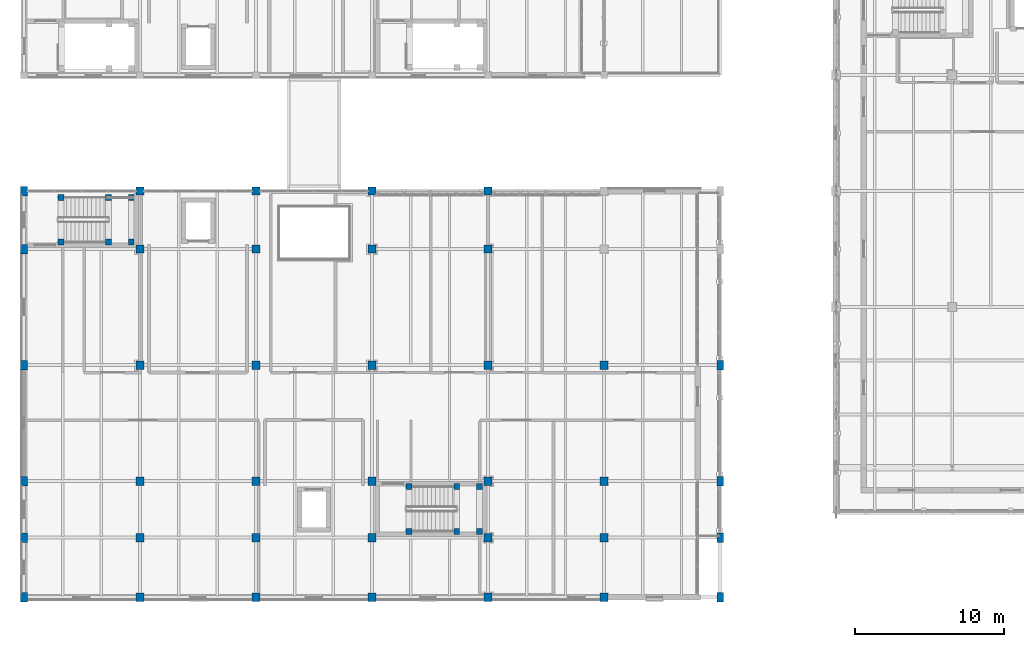
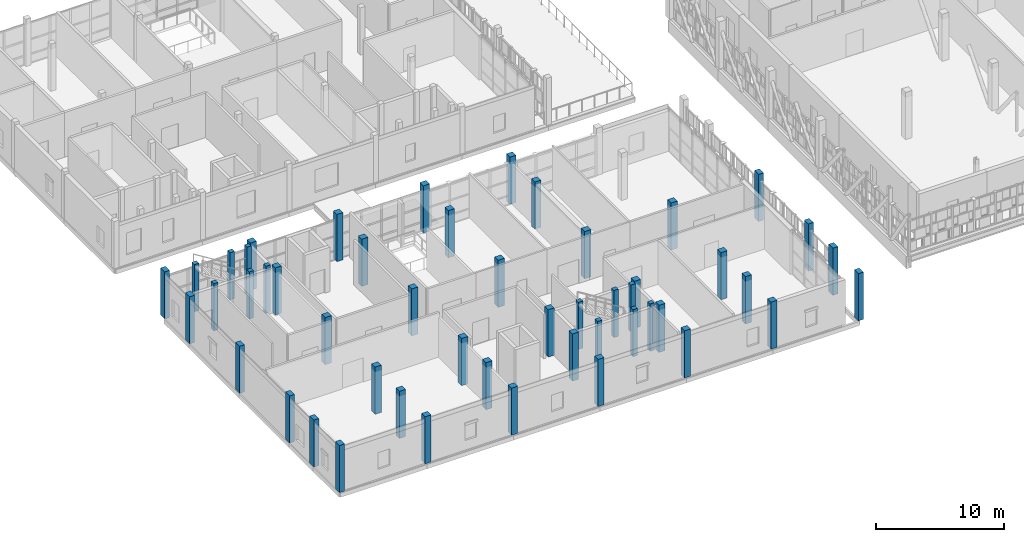
# One storey, part 1 of 119: 50 columns.
"""IFC4 building model written with IfcOpenShell, lengths in metres."""

import ifcopenshell
import ifcopenshell.guid

model = None  # the IFC model being written
_history = None  # IfcOwnerHistory: only IFC2X3 demands one
_inside = {}  # id of a spatial element -> (the spatial element, [elements in it])
_under = {}  # id of a project, library or spatial element -> (it, [spatial elements below it])
_declared = {}  # id of a project -> (the project, [libraries it declares])
_typed = {}  # id of a type object -> (the type object, [elements of that type])
_made_of = {}  # id of a material, layer set ... -> (it, [elements and type objects made of it])


def new_model(schema):
    """Start an empty IFC model of exactly this schema.

    Asked for "IFC4X3", IfcOpenShell would pick the latest addendum, in which some entities
    have other attributes; the version numbers below select the first issue.
    IFC2X3 requires an IfcOwnerHistory on every rooted entity: one is made here for all.
    """
    global model, _history
    if schema == "IFC4X3":
        model = ifcopenshell.file(schema_version=(4, 3, 0, 0))
    else:
        model = ifcopenshell.file(schema=schema)
    _inside.clear()
    _under.clear()
    _declared.clear()
    _typed.clear()
    _made_of.clear()
    _history = None
    if model.schema == "IFC2X3":
        org = make("IfcOrganization", Name="unknown")
        user = make(
            "IfcPersonAndOrganization",
            ThePerson=make("IfcPerson", FamilyName="unknown"),
            TheOrganization=org,
        )
        app = make(
            "IfcApplication",
            ApplicationDeveloper=org,
            Version="unknown",
            ApplicationFullName="unknown",
            ApplicationIdentifier="unknown",
        )
        _history = make(
            "IfcOwnerHistory",
            OwningUser=user,
            OwningApplication=app,
            ChangeAction="ADDED",
            CreationDate=0,
        )
    return model


def make(cls, **values):
    """One entity of the class cls with the attributes given. An attribute that is None is left unset."""
    return model.create_entity(
        cls, **{name: value for name, value in values.items() if value is not None}
    )


def rooted(cls, **values):
    """An entity with a GlobalId (a new one), such as an element, a storey or a relation."""
    return make(cls, GlobalId=ifcopenshell.guid.new(), OwnerHistory=_history, **values)


def si_unit(unit_type, name, prefix=None):
    """IfcSIUnit, for example si_unit("LENGTHUNIT", "METRE", prefix="MILLI")."""
    return make("IfcSIUnit", UnitType=unit_type, Prefix=prefix, Name=name)


def assignment(units):
    """IfcUnitAssignment: the units of a project."""
    return None if units is None else make("IfcUnitAssignment", Units=units)


def point(xyz):
    """IfcCartesianPoint."""
    return None if xyz is None else make("IfcCartesianPoint", Coordinates=xyz)


def direction(xyz):
    """IfcDirection."""
    return None if xyz is None else make("IfcDirection", DirectionRatios=xyz)


def frame(location, z_axis=None, x_axis=None):
    """IfcAxis2Placement3D, a coordinate frame: its origin and axes. An axis left out is left unset."""
    return make(
        "IfcAxis2Placement3D",
        Location=point(location),
        Axis=direction(z_axis),
        RefDirection=direction(x_axis),
    )


def frame_2d(location, x_axis=None):
    """IfcAxis2Placement2D, a coordinate frame in the plane: its origin and x axis."""
    return make(
        "IfcAxis2Placement2D", Location=point(location), RefDirection=direction(x_axis)
    )


def origin():
    """The frame at (0, 0, 0) with its axes left unset."""
    return frame((0.0, 0.0, 0.0))


def origin_2d():
    """The frame at (0, 0) in the plane with its x axis left unset."""
    return frame_2d((0.0, 0.0))


def place(relative_to, where):
    """IfcLocalPlacement: puts the frame where relative to a parent placement (None: the world)."""
    return make(
        "IfcLocalPlacement", PlacementRelTo=relative_to, RelativePlacement=where
    )


def context(
    kind, dimensions, precision=None, world=None, true_north=None, identifier=None
):
    """IfcGeometricRepresentationContext, for example the 3D "Model" context."""
    return make(
        "IfcGeometricRepresentationContext",
        ContextIdentifier=identifier,
        ContextType=kind,
        CoordinateSpaceDimension=dimensions,
        Precision=precision,
        WorldCoordinateSystem=world,
        TrueNorth=true_north,
    )


def subcontext(parent, identifier, kind, view, scale=None):
    """IfcGeometricRepresentationSubContext, for example "Body" below "Model"."""
    return make(
        "IfcGeometricRepresentationSubContext",
        ContextIdentifier=identifier,
        ContextType=kind,
        ParentContext=parent,
        TargetScale=scale,
        TargetView=view,
    )


def project(units=None, contexts=None):
    """IfcProject with its units and contexts."""
    return rooted(
        "IfcProject",
        Name="project",
        RepresentationContexts=contexts,
        UnitsInContext=assignment(units),
    )


def spatial(cls, under=None, at=None, **own):
    """A site, building, storey or space (cls), placed at a placement, below another one or the project."""
    s = rooted(cls, ObjectPlacement=at, **own)
    if under is not None:
        _under.setdefault(under.id(), (under, []))[1].append(s)
    return s


def profile(cls, at=None, kind="AREA", **sizes):
    """A parametric profile (cls). Its sizes go by their IFC names, for example OverallWidth=200.0."""
    return make(cls, ProfileType=kind, Position=at, **sizes)


def rectangle(**sizes):
    """IfcRectangleProfileDef."""
    return profile("IfcRectangleProfileDef", **sizes)


def extrude(swept, where, along, depth):
    """IfcExtrudedAreaSolid: the profile swept, set in the frame where, extruded along a direction by depth."""
    return make(
        "IfcExtrudedAreaSolid",
        SweptArea=swept,
        Position=where,
        ExtrudedDirection=direction(along),
        Depth=depth,
    )


def shape(context_of_items, identifier, shape_type, items):
    """IfcShapeRepresentation: the items that make up one representation, for example the "Body"."""
    return make(
        "IfcShapeRepresentation",
        ContextOfItems=context_of_items,
        RepresentationIdentifier=identifier,
        RepresentationType=shape_type,
        Items=items,
    )


def material(Name=None, Category=None):
    """IfcMaterial."""
    return make("IfcMaterial", Name=Name, Category=Category)


def material_profile(
    of_material, cross_section, Name=None, Category=None, Priority=None
):
    """IfcMaterialProfile: a cross section and its material."""
    return make(
        "IfcMaterialProfile",
        Name=Name,
        Material=of_material,
        Profile=cross_section,
        Priority=Priority,
        Category=Category,
    )


def profile_set(profiles, Name=None, composite=None):
    """IfcMaterialProfileSet."""
    return make(
        "IfcMaterialProfileSet",
        Name=Name,
        MaterialProfiles=profiles,
        CompositeProfile=composite,
    )


def made_of(thing, what):
    """Note that an element or type object is made of a material, layer set ...; save() writes the relation."""
    if what is not None:
        _made_of.setdefault(what.id(), (what, []))[1].append(thing)
    return thing


def type_object(cls, material=None, **own):
    """A type object (cls), such as IfcWallType, which elements share."""
    return made_of(rooted(cls, **own), material)


def element(
    cls,
    number,
    at=None,
    inside=None,
    cuts=None,
    type_object=None,
    material=None,
    context=None,
    identifier="Body",
    shape_type=None,
    held_by="IfcProductDefinitionShape",
    body=None,
    shapes=None,
    **own,
):
    """One element of the class cls, such as IfcWall. Its Tag is "e" and its number.

    at: its placement. inside: the storey or other place that contains it. cuts: it is an
    opening in that element (IfcRelVoidsElement). A single representation is given by context,
    identifier, shape_type and body (its items); several are given by shapes. held_by: the class
    of the entity that holds the representations. save() writes the other relations.
    """
    e = rooted(cls, Tag="e%d" % number, ObjectPlacement=at, **own)
    if body is not None:
        shapes = [shape(context, identifier, shape_type, body)]
    if shapes is not None:
        e.Representation = make(held_by, Representations=shapes)
    if inside is not None:
        _inside.setdefault(inside.id(), (inside, []))[1].append(e)
    if cuts is not None:
        rooted(
            "IfcRelVoidsElement", RelatingBuildingElement=cuts, RelatedOpeningElement=e
        )
    if type_object is not None:
        _typed.setdefault(type_object.id(), (type_object, []))[1].append(e)
    return made_of(e, material)


def aggregate(whole, parts):
    """IfcRelAggregates: a whole, such as a stair, and the parts it consists of."""
    return rooted("IfcRelAggregates", RelatingObject=whole, RelatedObjects=parts)


def save(model, path):
    """Write the relations noted so far, then the file.

    IfcRelAggregates (storeys below a building ...), IfcRelContainedInSpatialStructure (elements
    in a storey), IfcRelDefinesByType, IfcRelAssociatesMaterial and IfcRelDeclares: one each for
    every whole, place, type object, material and project.
    """
    for whole, parts in _under.values():
        aggregate(whole, parts)
    for where, things in _inside.values():
        rooted(
            "IfcRelContainedInSpatialStructure",
            RelatedElements=things,
            RelatingStructure=where,
        )
    for kind, things in _typed.values():
        rooted("IfcRelDefinesByType", RelatedObjects=things, RelatingType=kind)
    for what, things in _made_of.values():
        rooted("IfcRelAssociatesMaterial", RelatedObjects=things, RelatingMaterial=what)
    for by, libraries in _declared.values():
        rooted("IfcRelDeclares", RelatingContext=by, RelatedDefinitions=libraries)
    model.write(path)


model = new_model("IFC4")

# Units and contexts
model_context = context("Model", 3, precision=1e-05, world=origin(), true_north=direction((0.0, 1.0)))
body_context = subcontext(model_context, "Body", "Model", "MODEL_VIEW")
ifc_project = project(units=[si_unit("LENGTHUNIT", "METRE"), si_unit("AREAUNIT", "SQUARE_METRE"), si_unit("VOLUMEUNIT", "CUBIC_METRE"), si_unit("PLANEANGLEUNIT", "RADIAN"), si_unit("MASSUNIT", "GRAM", prefix="KILO")], contexts=[model_context])

# Site, building, storey
site_placement = place(None, origin())
site = spatial("IfcSite", under=ifc_project, at=site_placement, CompositionType="ELEMENT")
building_placement = place(site_placement, origin())
building = spatial("IfcBuilding", under=site, at=building_placement, Name="Celorna Specialist Clinic", CompositionType="ELEMENT")
storey_placement = place(building_placement, frame((0.0, 0.0, 9.60009765625)))
storey = spatial("IfcBuildingStorey", under=building, at=storey_placement, Name="L02", CompositionType="ELEMENT", Elevation=9.60009765625)

# Columns
ifc_material_1 = material(Name="Concrete C35/45", Category="concrete")
ifc_material_profile_1 = material_profile(ifc_material_1, rectangle(XDim=0.550048828125, YDim=0.550048828125, at=origin_2d()), Name="RC 550x550")
ifc_profile_set_1 = profile_set([ifc_material_profile_1], Name="Concrete C35/45")
column_type_1 = type_object("IfcColumnType", Name="CT-05", PredefinedType="COLUMN", material=ifc_profile_set_1)
for number, where, z_axis, x_axis, name in (
    (1, (7.800048828125, 0.0, 0.0), (0.0, 0.0, 1.0), (1.0, 0.0, 0.0), "Column CT-05 L02 X02/YA"),
    (2, (7.800048828125, 4.0, 0.0), (0.0, 0.0, 1.0), (1.0, 0.0, 0.0), "Column CT-05 L02 X02/YA1"),
    (3, (7.800048828125, 7.800048828125, 0.0), (0.0, 0.0, 1.0), (1.0, 0.0, 0.0), "Column CT-05 L02 X02/YC"),
    (4, (7.800048828125, 15.60009765625, 0.0), (0.0, 0.0, 1.0), (1.0, 0.0, 0.0), "Column CT-05 L02 X02/YD"),
    (5, (7.800048828125, 23.39990234375, 0.0), (0.0, 0.0, 1.0), (1.0, 0.0, 0.0), "Column CT-05 L02 X02/YE"),
    (6, (7.800048828125, 27.300048828125, 0.0), (0.0, 0.0, 1.0), (1.0, 0.0, 0.0), "Column CT-05 L02 X02/YF"),
    (7, (15.60009765625, 0.0, 0.0), (0.0, 0.0, 1.0), (1.0, 0.0, 0.0), "Column CT-05 L02 X03/YA"),
    (8, (15.60009765625, 4.0, 0.0), (0.0, 0.0, 1.0), (1.0, 0.0, 0.0), "Column CT-05 L02 X03/YA1"),
    (9, (15.60009765625, 7.800048828125, 0.0), (0.0, 0.0, 1.0), (1.0, 0.0, 0.0), "Column CT-05 L02 X03/YC"),
    (10, (15.60009765625, 15.60009765625, 0.0), (0.0, 0.0, 1.0), (1.0, 0.0, 0.0), "Column CT-05 L02 X03/YD"),
    (11, (15.60009765625, 23.39990234375, 0.0), (0.0, 0.0, 1.0), (1.0, 0.0, 0.0), "Column CT-05 L02 X03/YE"),
    (12, (15.60009765625, 27.300048828125, 0.0), (0.0, 0.0, 1.0), (1.0, 0.0, 0.0), "Column CT-05 L02 X03/YF"),
    (13, (23.39990234375, 0.0, 0.0), (0.0, 0.0, 1.0), (1.0, 0.0, 0.0), "Column CT-05 L02 X04/YA"),
    (14, (23.39990234375, 4.0, 0.0), (0.0, 0.0, 1.0), (1.0, 0.0, 0.0), "Column CT-05 L02 X04/YA1"),
    (15, (23.39990234375, 7.800048828125, 0.0), (0.0, 0.0, 1.0), (1.0, 0.0, 0.0), "Column CT-05 L02 X04/YC"),
    (16, (23.39990234375, 15.60009765625, 0.0), (0.0, 0.0, 1.0), (1.0, 0.0, 0.0), "Column CT-05 L02 X04/YD"),
    (17, (23.39990234375, 23.39990234375, 0.0), (0.0, 0.0, 1.0), (1.0, 0.0, 0.0), "Column CT-05 L02 X04/YE"),
    (18, (23.39990234375, 27.300048828125, 0.0), (0.0, 0.0, 1.0), (1.0, 0.0, 0.0), "Column CT-05 L02 X04/YF"),
    (19, (31.199951171875, 0.0, 0.0), (0.0, 0.0, 1.0), (1.0, 0.0, 0.0), "Column CT-05 L02 X05/YA"),
    (20, (31.199951171875, 4.0, 0.0), (0.0, 0.0, 1.0), (1.0, 0.0, 0.0), "Column CT-05 L02 X05/YA1"),
    (21, (31.199951171875, 7.800048828125, 0.0), (0.0, 0.0, 1.0), (1.0, 0.0, 0.0), "Column CT-05 L02 X05/YC"),
    (22, (31.199951171875, 15.60009765625, 0.0), (0.0, 0.0, 1.0), (1.0, 0.0, 0.0), "Column CT-05 L02 X05/YD"),
    (23, (31.199951171875, 23.39990234375, 0.0), (0.0, 0.0, 1.0), (1.0, 0.0, 0.0), "Column CT-05 L02 X05/YE"),
    (24, (31.199951171875, 27.300048828125, 0.0), (0.0, 0.0, 1.0), (1.0, 0.0, 0.0), "Column CT-05 L02 X05/YF"),
    (25, (39.0, 0.0, 0.0), (0.0, 0.0, 1.0), (1.0, 0.0, 0.0), "Column CT-05 L02 X06/YA"),
    (26, (39.0, 4.0, 0.0), (0.0, 0.0, 1.0), (1.0, 0.0, 0.0), "Column CT-05 L02 X06/YA1"),
    (27, (39.0, 7.800048828125, 0.0), (0.0, 0.0, 1.0), (1.0, 0.0, 0.0), "Column CT-05 L02 X06/YC"),
    (28, (39.0, 15.60009765625, 0.0), (0.0, 0.0, 1.0), (1.0, 0.0, 0.0), "Column CT-05 L02 X06/YD"),
):
    element("IfcColumn", number, at=place(storey_placement, frame(where, z_axis=z_axis, x_axis=x_axis)), inside=storey, type_object=column_type_1, Name=name, PredefinedType="COLUMN", context=body_context, shape_type="SweptSolid", body=[
        extrude(rectangle(XDim=0.550048828125, YDim=0.550048828125, at=origin_2d()), origin(), (0.0, 0.0, 1.0), 4.5),
    ])
ifc_material_profile_2 = material_profile(ifc_material_1, rectangle(XDim=0.39990234375, YDim=0.39990234375, at=origin_2d()), Name="RC 400x400")
ifc_profile_set_2 = profile_set([ifc_material_profile_2], Name="Concrete C35/45")
column_type_2 = type_object("IfcColumnType", Name="CT-08", PredefinedType="COLUMN", material=ifc_profile_set_2)
for number, where, z_axis, x_axis, name in (
    (29, (2.489990234375, 23.8701171875, 0.0), (0.0, 0.0, 1.0), (1.0, 0.0, 0.0), "Stair ST-04 landing column CT-08 L02 X01/YF"),
    (30, (2.489990234375, 26.8701171875, 0.0), (0.0, 0.0, 1.0), (1.0, 0.0, 0.0), "Stair ST-04 landing column CT-08 L02 X01/YF"),
    (31, (5.68994140625, 23.8701171875, 0.0), (0.0, 0.0, 1.0), (1.0, 0.0, 0.0), "Stair ST-04 landing column CT-08 L02 X02/YF"),
    (32, (5.68994140625, 26.8701171875, 0.0), (0.0, 0.0, 1.0), (1.0, 0.0, 0.0), "Stair ST-04 landing column CT-08 L02 X02/YF"),
    (33, (7.2099609375, 23.8701171875, 0.0), (0.0, 0.0, 1.0), (1.0, 0.0, 0.0), "Stair ST-04 landing column CT-08 L02 X02/YF"),
    (34, (7.2099609375, 26.8701171875, 0.0), (0.0, 0.0, 1.0), (1.0, 0.0, 0.0), "Stair ST-04 landing column CT-08 L02 X02/YF"),
    (35, (25.889892578125, 4.429931640625, 0.0), (0.0, 0.0, 1.0), (1.0, 0.0, 0.0), "Stair ST-05 landing column CT-08 L02 X04/YA1"),
    (36, (25.889892578125, 7.429931640625, 0.0), (0.0, 0.0, 1.0), (1.0, 0.0, 0.0), "Stair ST-05 landing column CT-08 L02 X04/YC"),
    (37, (29.090087890625, 4.429931640625, 0.0), (0.0, 0.0, 1.0), (1.0, 0.0, 0.0), "Stair ST-05 landing column CT-08 L02 X05/YA1"),
    (38, (29.090087890625, 7.429931640625, 0.0), (0.0, 0.0, 1.0), (1.0, 0.0, 0.0), "Stair ST-05 landing column CT-08 L02 X05/YC"),
    (39, (30.610107421875, 4.429931640625, 0.0), (0.0, 0.0, 1.0), (1.0, 0.0, 0.0), "Stair ST-05 landing column CT-08 L02 X05/YA1"),
    (40, (30.610107421875, 7.429931640625, 0.0), (0.0, 0.0, 1.0), (1.0, 0.0, 0.0), "Stair ST-05 landing column CT-08 L02 X05/YC"),
):
    element("IfcColumn", number, at=place(storey_placement, frame(where, z_axis=z_axis, x_axis=x_axis)), inside=storey, type_object=column_type_2, Name=name, PredefinedType="COLUMN", context=body_context, shape_type="SweptSolid", body=[
        extrude(rectangle(XDim=0.39990234375, YDim=0.39990234375, at=origin_2d()), origin(), (0.0, 0.0, 1.0), 4.5),
    ])
ifc_material_2 = material(Name="Concrete C40/50", Category="concrete")
ifc_material_profile_3 = material_profile(ifc_material_2, rectangle(XDim=0.449951171875, YDim=0.64990234375, at=origin_2d()), Name="RC 450x650")
ifc_profile_set_3 = profile_set([ifc_material_profile_3], Name="Concrete C40/50")
column_type_3 = type_object("IfcColumnType", Name="CT-10", PredefinedType="COLUMN", material=ifc_profile_set_3)
for number, where, z_axis, x_axis, name in (
    (41, (0.0, 0.0, 0.0), (0.0, 0.0, 1.0), (1.0, 0.0, 0.0), "Column CT-10 L02 X01/YA"),
    (42, (0.0, 4.0, 0.0), (0.0, 0.0, 1.0), (1.0, 0.0, 0.0), "Column CT-10 L02 X01/YA1"),
    (43, (0.0, 7.800048828125, 0.0), (0.0, 0.0, 1.0), (1.0, 0.0, 0.0), "Column CT-10 L02 X01/YC"),
    (44, (0.0, 15.60009765625, 0.0), (0.0, 0.0, 1.0), (1.0, 0.0, 0.0), "Column CT-10 L02 X01/YD"),
    (45, (0.0, 23.39990234375, 0.0), (0.0, 0.0, 1.0), (1.0, 0.0, 0.0), "Column CT-10 L02 X01/YE"),
    (46, (0.0, 27.300048828125, 0.0), (0.0, 0.0, 1.0), (1.0, 0.0, 0.0), "Column CT-10 L02 X01/YF"),
    (47, (46.800048828125, 0.0, 0.0), (0.0, 0.0, 1.0), (1.0, 0.0, 0.0), "Column CT-10 L02 X07/YA"),
    (48, (46.800048828125, 4.0, 0.0), (0.0, 0.0, 1.0), (1.0, 0.0, 0.0), "Column CT-10 L02 X07/YA1"),
    (49, (46.800048828125, 7.800048828125, 0.0), (0.0, 0.0, 1.0), (1.0, 0.0, 0.0), "Column CT-10 L02 X07/YC"),
    (50, (46.800048828125, 15.60009765625, 0.0), (0.0, 0.0, 1.0), (1.0, 0.0, 0.0), "Column CT-10 L02 X07/YD"),
):
    element("IfcColumn", number, at=place(storey_placement, frame(where, z_axis=z_axis, x_axis=x_axis)), inside=storey, type_object=column_type_3, Name=name, PredefinedType="COLUMN", context=body_context, shape_type="SweptSolid", body=[
        extrude(rectangle(XDim=0.449951171875, YDim=0.64990234375, at=origin_2d()), origin(), (0.0, 0.0, 1.0), 4.5),
    ])

save(model, "model.ifc")
